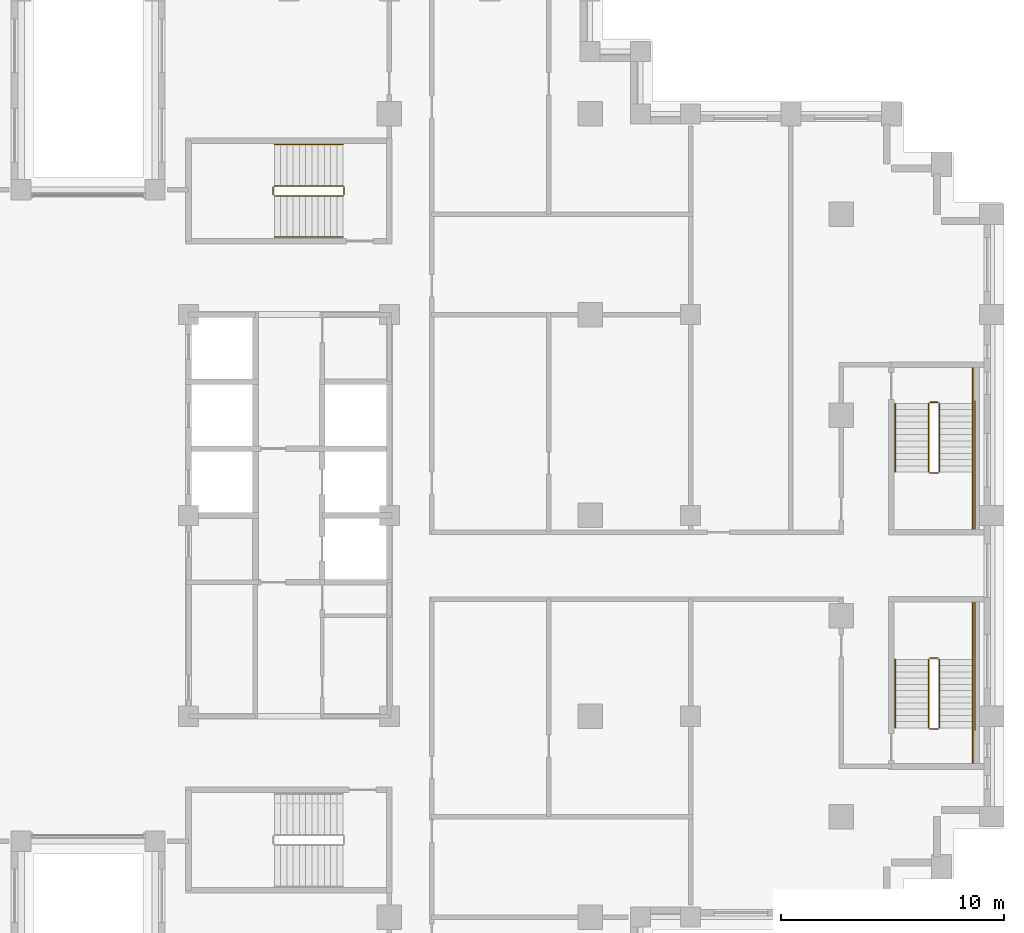
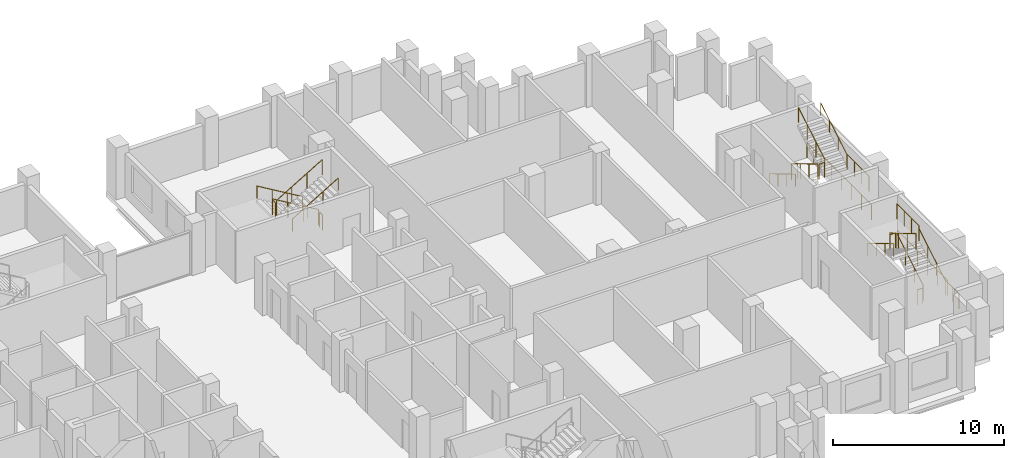
# One storey, part 15 of 15: 3 railings.
"""IFC4 building model written with IfcOpenShell, lengths in metres."""

from ifc_helpers import new_model, si_unit, direction, frame, origin, origin_2d, place, context, subcontext, project, spatial, circle, extrude, material, type_object, element, save


model = new_model("IFC4")

# Units and contexts
model_context = context("Model", 3, precision=1e-05, world=origin(), true_north=direction((0.0, 1.0)))
body_context = subcontext(model_context, "Body", "Model", "MODEL_VIEW")
ifc_project = project(units=[si_unit("LENGTHUNIT", "METRE"), si_unit("AREAUNIT", "SQUARE_METRE"), si_unit("VOLUMEUNIT", "CUBIC_METRE"), si_unit("PLANEANGLEUNIT", "RADIAN"), si_unit("MASSUNIT", "GRAM", prefix="KILO")], contexts=[model_context])

# Site, building, storey
site_placement = place(None, origin())
site = spatial("IfcSite", under=ifc_project, at=site_placement, CompositionType="ELEMENT")
building_placement = place(site_placement, origin())
building = spatial("IfcBuilding", under=site, at=building_placement, Name="Corbelhall Arena Tower", CompositionType="ELEMENT")
storey_placement = place(building_placement, frame((0.0, 0.0, 134.0)))
storey = spatial("IfcBuildingStorey", under=building, at=storey_placement, Name="L25", CompositionType="ELEMENT", Elevation=134.0)

# Railings
ifc_material = material(Name="Steel ASTM A500 Gr C", Category="steel")
railing_type = type_object("IfcRailingType", Name="IN-GD-1100", PredefinedType="GUARDRAIL", material=ifc_material)
railing_1_placement = place(storey_placement, frame((11.425048828125, 14.77490234375, 0.166748046875)))
element("IfcRailing", 1, at=railing_1_placement, inside=storey, type_object=railing_type, Name="L25 ST3 stair guards and handrails", PredefinedType="GUARDRAIL", context=body_context, shape_type="SweptSolid", body=[
    extrude(circle(Radius=0.02392578125, at=origin_2d()), frame((0.0, 0.0, 1.076171875), z_axis=(-0.859308565015, 0.0, 0.511457515432), x_axis=(0.0, -1.0, 0.0)), (0.0, 0.0, 1.0), 3.58447265625),
    extrude(circle(Radius=0.02392578125, at=origin_2d()), frame((-3.130126953125, -0.0498046875, 2.9091796875), z_axis=(0.0, -1.0, 0.0), x_axis=(1.0, 0.0, 0.0)), (0.0, 0.0, 1.0), 0.35009765625),
    extrude(circle(Radius=0.02392578125, at=origin_2d()), frame((-3.080078125, -0.449951171875, 3.076171875), z_axis=(0.859308565015, 0.0, 0.511457515432), x_axis=(0.0, 1.0, 0.0)), (0.0, 0.0, 1.0), 3.58447265625),
    extrude(circle(Radius=0.02392578125, at=origin_2d()), frame((0.050048828125, -0.0498046875, 0.9091796875), z_axis=(0.0, -1.0, 0.0), x_axis=(1.0, 0.0, 0.0)), (0.0, 0.0, 1.0), 0.35009765625),
    extrude(circle(Radius=0.02392578125, at=origin_2d()), frame((0.0, 1.85009765625, 0.8759765625), z_axis=(-0.859308565015, 0.0, 0.511457515432), x_axis=(0.0, -1.0, 0.0)), (0.0, 0.0, 1.0), 3.58447265625),
    extrude(circle(Radius=0.02392578125, at=origin_2d()), frame((-3.080078125, -2.2998046875, 2.8759765625), z_axis=(0.859308565015, 0.0, 0.511457515432), x_axis=(0.0, 1.0, 0.0)), (0.0, 0.0, 1.0), 3.58447265625),
    extrude(circle(Radius=0.02099609375, at=origin_2d()), origin(), (0.0, 0.0, 1.0), 1.052001953125),
    extrude(circle(Radius=0.02099609375, at=origin_2d()), frame((-1.026611328125, 0.0, 0.611083984375)), (0.0, 0.0, 1.0), 1.052001953125),
    extrude(circle(Radius=0.02099609375, at=origin_2d()), frame((-2.053466796875, 0.0, 1.22216796875)), (0.0, 0.0, 1.0), 1.052001953125),
    extrude(circle(Radius=0.02099609375, at=origin_2d()), frame((-3.080078125, 0.0, 1.833251953125)), (0.0, 0.0, 1.0), 1.052001953125),
    extrude(circle(Radius=0.02099609375, at=origin_2d()), frame((-3.130126953125, -0.0498046875, 1.833251953125)), (0.0, 0.0, 1.0), 1.052001953125),
    extrude(circle(Radius=0.02099609375, at=origin_2d()), frame((-3.130126953125, -0.39990234375, 1.833251953125)), (0.0, 0.0, 1.0), 1.052001953125),
    extrude(circle(Radius=0.02099609375, at=origin_2d()), frame((-3.080078125, -0.449951171875, 2.0)), (0.0, 0.0, 1.0), 1.052001953125),
    extrude(circle(Radius=0.02099609375, at=origin_2d()), frame((-2.053466796875, -0.449951171875, 2.611083984375)), (0.0, 0.0, 1.0), 1.052001953125),
    extrude(circle(Radius=0.02099609375, at=origin_2d()), frame((-1.026611328125, -0.449951171875, 3.22216796875)), (0.0, 0.0, 1.0), 1.052001953125),
    extrude(circle(Radius=0.02099609375, at=origin_2d()), frame((0.0, -0.449951171875, 3.833251953125)), (0.0, 0.0, 1.0), 1.052001953125),
    extrude(circle(Radius=0.02099609375, at=origin_2d()), frame((0.050048828125, -0.0498046875, -0.166748046875)), (0.0, 0.0, 1.0), 1.052001953125),
    extrude(circle(Radius=0.02099609375, at=origin_2d()), frame((0.050048828125, -0.39990234375, -0.166748046875)), (0.0, 0.0, 1.0), 1.052001953125),
    extrude(circle(Radius=0.02099609375, at=origin_2d()), frame((0.0, 1.85009765625, 0.0)), (0.0, 0.0, 1.0), 0.851806640625),
    extrude(circle(Radius=0.02099609375, at=origin_2d()), frame((-1.026611328125, 1.85009765625, 0.611083984375)), (0.0, 0.0, 1.0), 0.851806640625),
    extrude(circle(Radius=0.02099609375, at=origin_2d()), frame((-2.053466796875, 1.85009765625, 1.22216796875)), (0.0, 0.0, 1.0), 0.851806640625),
    extrude(circle(Radius=0.02099609375, at=origin_2d()), frame((-3.080078125, 1.85009765625, 1.833251953125)), (0.0, 0.0, 1.0), 0.851806640625),
    extrude(circle(Radius=0.02099609375, at=origin_2d()), frame((-3.080078125, -2.2998046875, 2.0)), (0.0, 0.0, 1.0), 0.851806640625),
    extrude(circle(Radius=0.02099609375, at=origin_2d()), frame((-2.053466796875, -2.2998046875, 2.611083984375)), (0.0, 0.0, 1.0), 0.851806640625),
    extrude(circle(Radius=0.02099609375, at=origin_2d()), frame((-1.026611328125, -2.2998046875, 3.22216796875)), (0.0, 0.0, 1.0), 0.851806640625),
    extrude(circle(Radius=0.02099609375, at=origin_2d()), frame((0.0, -2.2998046875, 3.833251953125)), (0.0, 0.0, 1.0), 0.851806640625),
])
railing_2_placement = place(storey_placement, frame((38.14990234375, -9.52490234375, 0.166748046875)))
element("IfcRailing", 2, at=railing_2_placement, inside=storey, type_object=railing_type, Name="L25 SD1 stair guards and handrails", PredefinedType="GUARDRAIL", context=body_context, shape_type="SweptSolid", body=[
    extrude(circle(Radius=0.02392578125, at=origin_2d()), frame((0.0, 0.0, 1.076171875), z_axis=(0.0, 0.859290745958, 0.51148745235), x_axis=(-1.0, 0.0, 0.0)), (0.0, 0.0, 1.0), 3.584228515625),
    extrude(circle(Radius=0.02392578125, at=origin_2d()), frame((-0.0498046875, 3.1298828125, 2.9091796875), z_axis=(-1.0, 0.0, 0.0), x_axis=(0.0, -1.0, 0.0)), (0.0, 0.0, 1.0), 0.375),
    extrude(circle(Radius=0.02392578125, at=origin_2d()), frame((1.5, 3.079833984375, 2.9091796875), z_axis=(0.0, 1.0, 0.0), x_axis=(-1.0, 0.0, 0.0)), (0.0, 0.0, 1.0), 2.570068359375),
    extrude(circle(Radius=0.02392578125, at=origin_2d()), frame((-0.474853515625, 3.079833984375, 3.076171875), z_axis=(0.0, -0.859290745958, 0.51148745235), x_axis=(1.0, 0.0, 0.0)), (0.0, 0.0, 1.0), 3.584228515625),
    extrude(circle(Radius=0.02392578125, at=origin_2d()), frame((-0.0498046875, -0.050048828125, 0.9091796875), z_axis=(-1.0, 0.0, 0.0), x_axis=(0.0, -1.0, 0.0)), (0.0, 0.0, 1.0), 0.375),
    extrude(circle(Radius=0.02392578125, at=origin_2d()), frame((1.5, -1.60009765625, 0.9091796875), z_axis=(0.0, 1.0, 0.0), x_axis=(-1.0, 0.0, 0.0)), (0.0, 0.0, 1.0), 1.60009765625),
    extrude(circle(Radius=0.02392578125, at=origin_2d()), frame((1.60009765625, -0.10009765625, 0.9091796875), z_axis=(0.0, 1.0, 0.0), x_axis=(-1.0, 0.0, 0.0)), (0.0, 0.0, 1.0), 5.85009765625),
    extrude(circle(Radius=0.02392578125, at=origin_2d()), frame((1.5, 0.0, 0.8759765625), z_axis=(0.0, 0.859290745958, 0.51148745235), x_axis=(-1.0, 0.0, 0.0)), (0.0, 0.0, 1.0), 3.584228515625),
    extrude(circle(Radius=0.02392578125, at=origin_2d()), frame((-1.974853515625, 3.079833984375, 2.8759765625), z_axis=(0.0, -0.859290745958, 0.51148745235), x_axis=(1.0, 0.0, 0.0)), (0.0, 0.0, 1.0), 3.584228515625),
    extrude(circle(Radius=0.02099609375, at=origin_2d()), origin(), (0.0, 0.0, 1.0), 1.052001953125),
    extrude(circle(Radius=0.02099609375, at=origin_2d()), frame((0.0, 1.026611328125, 0.611083984375)), (0.0, 0.0, 1.0), 1.052001953125),
    extrude(circle(Radius=0.02099609375, at=origin_2d()), frame((0.0, 2.05322265625, 1.22216796875)), (0.0, 0.0, 1.0), 1.052001953125),
    extrude(circle(Radius=0.02099609375, at=origin_2d()), frame((0.0, 3.079833984375, 1.833251953125)), (0.0, 0.0, 1.0), 1.052001953125),
    extrude(circle(Radius=0.02099609375, at=origin_2d()), frame((-0.0498046875, 3.1298828125, 1.833251953125)), (0.0, 0.0, 1.0), 1.052001953125),
    extrude(circle(Radius=0.02099609375, at=origin_2d()), frame((-0.4248046875, 3.1298828125, 1.833251953125)), (0.0, 0.0, 1.0), 1.052001953125),
    extrude(circle(Radius=0.02099609375, at=origin_2d()), frame((1.5, 3.079833984375, 1.833251953125)), (0.0, 0.0, 1.0), 1.052001953125),
    extrude(circle(Radius=0.02099609375, at=origin_2d()), frame((1.5, 3.9365234375, 1.833251953125)), (0.0, 0.0, 1.0), 1.052001953125),
    extrude(circle(Radius=0.02099609375, at=origin_2d()), frame((1.5, 4.793212890625, 1.833251953125)), (0.0, 0.0, 1.0), 1.052001953125),
    extrude(circle(Radius=0.02099609375, at=origin_2d()), frame((1.5, 5.64990234375, 1.833251953125)), (0.0, 0.0, 1.0), 1.052001953125),
    extrude(circle(Radius=0.02099609375, at=origin_2d()), frame((-0.474853515625, 3.079833984375, 2.0)), (0.0, 0.0, 1.0), 1.052001953125),
    extrude(circle(Radius=0.02099609375, at=origin_2d()), frame((-0.474853515625, 2.05322265625, 2.611083984375)), (0.0, 0.0, 1.0), 1.052001953125),
    extrude(circle(Radius=0.02099609375, at=origin_2d()), frame((-0.474853515625, 1.026611328125, 3.22216796875)), (0.0, 0.0, 1.0), 1.052001953125),
    extrude(circle(Radius=0.02099609375, at=origin_2d()), frame((-0.474853515625, 0.0, 3.833251953125)), (0.0, 0.0, 1.0), 1.052001953125),
    extrude(circle(Radius=0.02099609375, at=origin_2d()), frame((-0.0498046875, -0.050048828125, -0.166748046875)), (0.0, 0.0, 1.0), 1.052001953125),
    extrude(circle(Radius=0.02099609375, at=origin_2d()), frame((-0.4248046875, -0.050048828125, -0.166748046875)), (0.0, 0.0, 1.0), 1.052001953125),
    extrude(circle(Radius=0.02099609375, at=origin_2d()), frame((1.5, -1.60009765625, -0.166748046875)), (0.0, 0.0, 1.0), 1.052001953125),
    extrude(circle(Radius=0.02099609375, at=origin_2d()), frame((1.5, -0.800048828125, -0.166748046875)), (0.0, 0.0, 1.0), 1.052001953125),
    extrude(circle(Radius=0.02099609375, at=origin_2d()), frame((1.5, 0.0, -0.166748046875)), (0.0, 0.0, 1.0), 1.052001953125),
    extrude(circle(Radius=0.02099609375, at=origin_2d()), frame((1.60009765625, -0.10009765625, -0.166748046875)), (0.0, 0.0, 1.0), 1.052001953125),
    extrude(circle(Radius=0.02099609375, at=origin_2d()), frame((1.60009765625, 1.06982421875, -0.166748046875)), (0.0, 0.0, 1.0), 1.052001953125),
    extrude(circle(Radius=0.02099609375, at=origin_2d()), frame((1.60009765625, 2.239990234375, -0.166748046875)), (0.0, 0.0, 1.0), 1.052001953125),
    extrude(circle(Radius=0.02099609375, at=origin_2d()), frame((1.60009765625, 3.409912109375, -0.166748046875)), (0.0, 0.0, 1.0), 1.052001953125),
    extrude(circle(Radius=0.02099609375, at=origin_2d()), frame((1.60009765625, 4.580078125, -0.166748046875)), (0.0, 0.0, 1.0), 1.052001953125),
    extrude(circle(Radius=0.02099609375, at=origin_2d()), frame((1.60009765625, 5.75, -0.166748046875)), (0.0, 0.0, 1.0), 1.052001953125),
    extrude(circle(Radius=0.02099609375, at=origin_2d()), frame((1.5, 0.0, 0.0)), (0.0, 0.0, 1.0), 0.851806640625),
    extrude(circle(Radius=0.02099609375, at=origin_2d()), frame((1.5, 1.026611328125, 0.611083984375)), (0.0, 0.0, 1.0), 0.851806640625),
    extrude(circle(Radius=0.02099609375, at=origin_2d()), frame((1.5, 2.05322265625, 1.22216796875)), (0.0, 0.0, 1.0), 0.851806640625),
    extrude(circle(Radius=0.02099609375, at=origin_2d()), frame((-1.974853515625, 3.079833984375, 2.0)), (0.0, 0.0, 1.0), 0.851806640625),
    extrude(circle(Radius=0.02099609375, at=origin_2d()), frame((-1.974853515625, 2.05322265625, 2.611083984375)), (0.0, 0.0, 1.0), 0.851806640625),
    extrude(circle(Radius=0.02099609375, at=origin_2d()), frame((-1.974853515625, 1.026611328125, 3.22216796875)), (0.0, 0.0, 1.0), 0.851806640625),
    extrude(circle(Radius=0.02099609375, at=origin_2d()), frame((-1.974853515625, 0.0, 3.833251953125)), (0.0, 0.0, 1.0), 0.851806640625),
])
railing_3_placement = place(storey_placement, frame((37.675048828125, 5.02490234375, 0.166748046875)))
element("IfcRailing", 3, at=railing_3_placement, inside=storey, type_object=railing_type, Name="L25 SD2 stair guards and handrails", PredefinedType="GUARDRAIL", context=body_context, shape_type="SweptSolid", body=[
    extrude(circle(Radius=0.02392578125, at=origin_2d()), frame((0.0, 0.0, 1.076171875), z_axis=(0.0, -0.859290745958, 0.51148745235), x_axis=(1.0, 0.0, 0.0)), (0.0, 0.0, 1.0), 3.584228515625),
    extrude(circle(Radius=0.02392578125, at=origin_2d()), frame((0.050048828125, -3.1298828125, 2.9091796875), z_axis=(1.0, 0.0, 0.0), x_axis=(0.0, 1.0, 0.0)), (0.0, 0.0, 1.0), 0.375),
    extrude(circle(Radius=0.02392578125, at=origin_2d()), frame((1.974853515625, -3.079833984375, 2.9091796875), z_axis=(0.0, -1.0, 0.0), x_axis=(1.0, 0.0, 0.0)), (0.0, 0.0, 1.0), 2.570068359375),
    extrude(circle(Radius=0.02392578125, at=origin_2d()), frame((0.474853515625, -3.079833984375, 3.076171875), z_axis=(0.0, 0.859290745958, 0.51148745235), x_axis=(-1.0, 0.0, 0.0)), (0.0, 0.0, 1.0), 3.584228515625),
    extrude(circle(Radius=0.02392578125, at=origin_2d()), frame((0.050048828125, 0.050048828125, 0.9091796875), z_axis=(1.0, 0.0, 0.0), x_axis=(0.0, 1.0, 0.0)), (0.0, 0.0, 1.0), 0.375),
    extrude(circle(Radius=0.02392578125, at=origin_2d()), frame((1.974853515625, 1.60009765625, 0.9091796875), z_axis=(0.0, -1.0, 0.0), x_axis=(1.0, 0.0, 0.0)), (0.0, 0.0, 1.0), 1.60009765625),
    extrude(circle(Radius=0.02392578125, at=origin_2d()), frame((2.074951171875, 0.10009765625, 0.9091796875), z_axis=(0.0, -1.0, 0.0), x_axis=(1.0, 0.0, 0.0)), (0.0, 0.0, 1.0), 5.85009765625),
    extrude(circle(Radius=0.02392578125, at=origin_2d()), frame((-1.5, 0.0, 0.8759765625), z_axis=(0.0, -0.859290745958, 0.51148745235), x_axis=(1.0, 0.0, 0.0)), (0.0, 0.0, 1.0), 3.584228515625),
    extrude(circle(Radius=0.02392578125, at=origin_2d()), frame((1.974853515625, -3.079833984375, 2.8759765625), z_axis=(0.0, 0.859290745958, 0.51148745235), x_axis=(-1.0, 0.0, 0.0)), (0.0, 0.0, 1.0), 3.584228515625),
    extrude(circle(Radius=0.02099609375, at=origin_2d()), origin(), (0.0, 0.0, 1.0), 1.052001953125),
    extrude(circle(Radius=0.02099609375, at=origin_2d()), frame((0.0, -1.026611328125, 0.611083984375)), (0.0, 0.0, 1.0), 1.052001953125),
    extrude(circle(Radius=0.02099609375, at=origin_2d()), frame((0.0, -2.05322265625, 1.22216796875)), (0.0, 0.0, 1.0), 1.052001953125),
    extrude(circle(Radius=0.02099609375, at=origin_2d()), frame((0.0, -3.079833984375, 1.833251953125)), (0.0, 0.0, 1.0), 1.052001953125),
    extrude(circle(Radius=0.02099609375, at=origin_2d()), frame((0.050048828125, -3.1298828125, 1.833251953125)), (0.0, 0.0, 1.0), 1.052001953125),
    extrude(circle(Radius=0.02099609375, at=origin_2d()), frame((0.425048828125, -3.1298828125, 1.833251953125)), (0.0, 0.0, 1.0), 1.052001953125),
    extrude(circle(Radius=0.02099609375, at=origin_2d()), frame((1.974853515625, -3.079833984375, 1.833251953125)), (0.0, 0.0, 1.0), 1.052001953125),
    extrude(circle(Radius=0.02099609375, at=origin_2d()), frame((1.974853515625, -3.9365234375, 1.833251953125)), (0.0, 0.0, 1.0), 1.052001953125),
    extrude(circle(Radius=0.02099609375, at=origin_2d()), frame((1.974853515625, -4.793212890625, 1.833251953125)), (0.0, 0.0, 1.0), 1.052001953125),
    extrude(circle(Radius=0.02099609375, at=origin_2d()), frame((1.974853515625, -5.64990234375, 1.833251953125)), (0.0, 0.0, 1.0), 1.052001953125),
    extrude(circle(Radius=0.02099609375, at=origin_2d()), frame((0.474853515625, -3.079833984375, 2.0)), (0.0, 0.0, 1.0), 1.052001953125),
    extrude(circle(Radius=0.02099609375, at=origin_2d()), frame((0.474853515625, -2.05322265625, 2.611083984375)), (0.0, 0.0, 1.0), 1.052001953125),
    extrude(circle(Radius=0.02099609375, at=origin_2d()), frame((0.474853515625, -1.026611328125, 3.22216796875)), (0.0, 0.0, 1.0), 1.052001953125),
    extrude(circle(Radius=0.02099609375, at=origin_2d()), frame((0.474853515625, 0.0, 3.833251953125)), (0.0, 0.0, 1.0), 1.052001953125),
    extrude(circle(Radius=0.02099609375, at=origin_2d()), frame((0.050048828125, 0.050048828125, -0.166748046875)), (0.0, 0.0, 1.0), 1.052001953125),
    extrude(circle(Radius=0.02099609375, at=origin_2d()), frame((0.425048828125, 0.050048828125, -0.166748046875)), (0.0, 0.0, 1.0), 1.052001953125),
    extrude(circle(Radius=0.02099609375, at=origin_2d()), frame((1.974853515625, 1.60009765625, -0.166748046875)), (0.0, 0.0, 1.0), 1.052001953125),
    extrude(circle(Radius=0.02099609375, at=origin_2d()), frame((1.974853515625, 0.800048828125, -0.166748046875)), (0.0, 0.0, 1.0), 1.052001953125),
    extrude(circle(Radius=0.02099609375, at=origin_2d()), frame((1.974853515625, 0.0, -0.166748046875)), (0.0, 0.0, 1.0), 1.052001953125),
    extrude(circle(Radius=0.02099609375, at=origin_2d()), frame((2.074951171875, 0.10009765625, -0.166748046875)), (0.0, 0.0, 1.0), 1.052001953125),
    extrude(circle(Radius=0.02099609375, at=origin_2d()), frame((2.074951171875, -1.06982421875, -0.166748046875)), (0.0, 0.0, 1.0), 1.052001953125),
    extrude(circle(Radius=0.02099609375, at=origin_2d()), frame((2.074951171875, -2.239990234375, -0.166748046875)), (0.0, 0.0, 1.0), 1.052001953125),
    extrude(circle(Radius=0.02099609375, at=origin_2d()), frame((2.074951171875, -3.409912109375, -0.166748046875)), (0.0, 0.0, 1.0), 1.052001953125),
    extrude(circle(Radius=0.02099609375, at=origin_2d()), frame((2.074951171875, -4.580078125, -0.166748046875)), (0.0, 0.0, 1.0), 1.052001953125),
    extrude(circle(Radius=0.02099609375, at=origin_2d()), frame((2.074951171875, -5.75, -0.166748046875)), (0.0, 0.0, 1.0), 1.052001953125),
    extrude(circle(Radius=0.02099609375, at=origin_2d()), frame((-1.5, 0.0, 0.0)), (0.0, 0.0, 1.0), 0.851806640625),
    extrude(circle(Radius=0.02099609375, at=origin_2d()), frame((-1.5, -1.026611328125, 0.611083984375)), (0.0, 0.0, 1.0), 0.851806640625),
    extrude(circle(Radius=0.02099609375, at=origin_2d()), frame((-1.5, -2.05322265625, 1.22216796875)), (0.0, 0.0, 1.0), 0.851806640625),
    extrude(circle(Radius=0.02099609375, at=origin_2d()), frame((-1.5, -3.079833984375, 1.833251953125)), (0.0, 0.0, 1.0), 0.851806640625),
    extrude(circle(Radius=0.02099609375, at=origin_2d()), frame((1.974853515625, -3.079833984375, 2.0)), (0.0, 0.0, 1.0), 0.851806640625),
    extrude(circle(Radius=0.02099609375, at=origin_2d()), frame((1.974853515625, -2.05322265625, 2.611083984375)), (0.0, 0.0, 1.0), 0.851806640625),
    extrude(circle(Radius=0.02099609375, at=origin_2d()), frame((1.974853515625, -1.026611328125, 3.22216796875)), (0.0, 0.0, 1.0), 0.851806640625),
    extrude(circle(Radius=0.02099609375, at=origin_2d()), frame((1.974853515625, 0.0, 3.833251953125)), (0.0, 0.0, 1.0), 0.851806640625),
])

save(model, "model.ifc")
